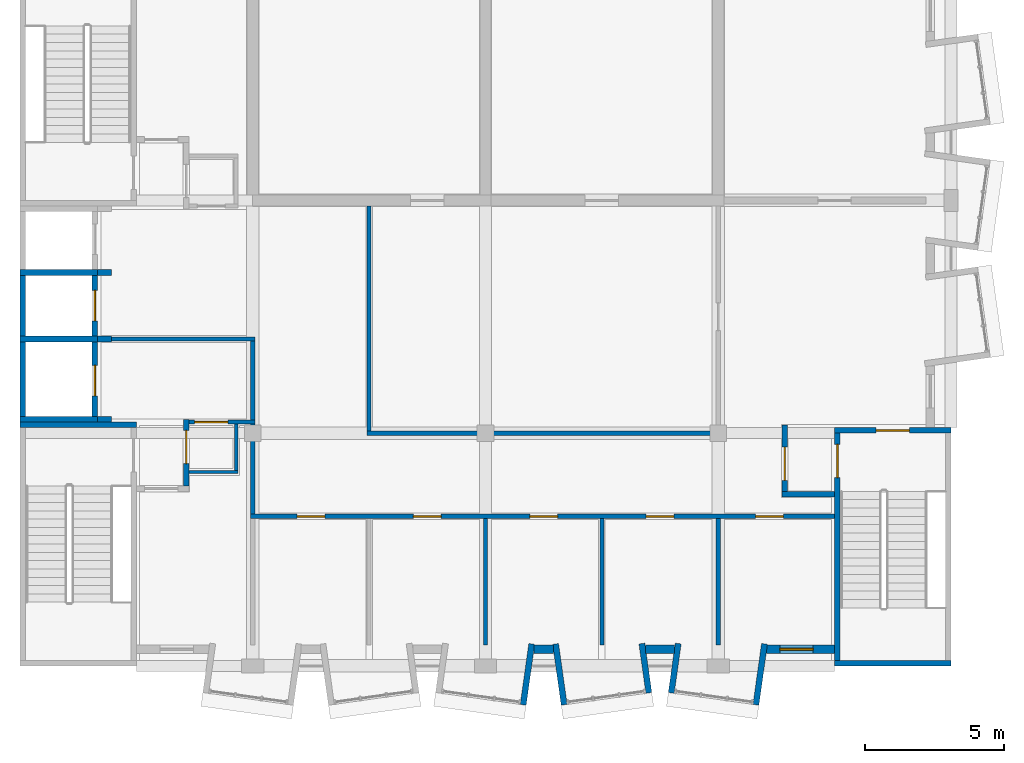
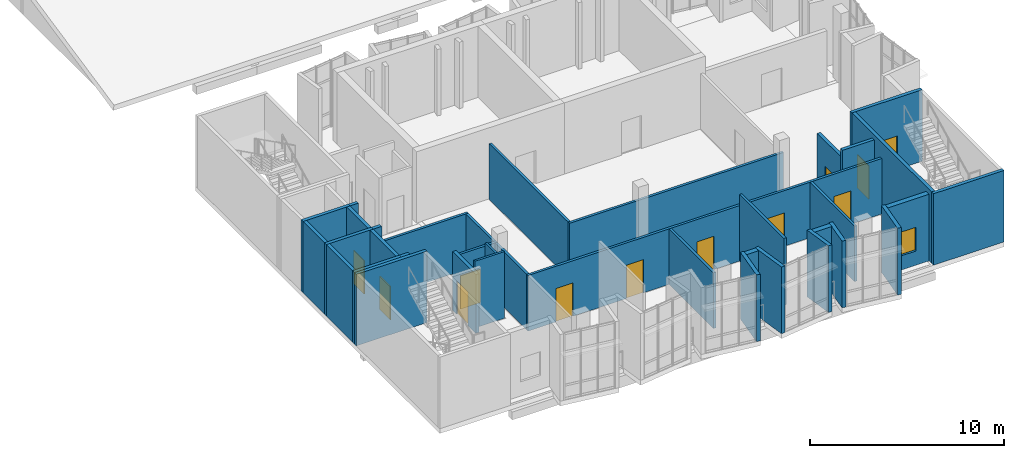
# One storey, part 11 of 19: 37 walls, 12 doors, 1 window, 13 openings.
"""IFC4 building model written with IfcOpenShell, lengths in metres."""

from ifc_helpers import new_model, si_unit, direction, frame, frame_2d, origin, place, context, subcontext, project, spatial, rectangle, extrude, material, layer, layer_set, type_object, element, fill, save


model = new_model("IFC4")

# Units and contexts
model_context = context("Model", 3, precision=1e-05, world=origin(), true_north=direction((0.0, 1.0)))
body_context = subcontext(model_context, "Body", "Model", "MODEL_VIEW")
ifc_project = project(units=[si_unit("LENGTHUNIT", "METRE"), si_unit("AREAUNIT", "SQUARE_METRE"), si_unit("VOLUMEUNIT", "CUBIC_METRE"), si_unit("PLANEANGLEUNIT", "RADIAN"), si_unit("MASSUNIT", "GRAM", prefix="KILO")], contexts=[model_context])

# Site, building, storey
site_placement = place(None, origin())
site = spatial("IfcSite", under=ifc_project, at=site_placement, CompositionType="ELEMENT")
building_placement = place(site_placement, origin())
building = spatial("IfcBuilding", under=site, at=building_placement, Name="Kiln Court Media Centre", CompositionType="ELEMENT")
storey_placement = place(building_placement, frame((0.0, 0.0, 29.10009765625)))
storey = spatial("IfcBuildingStorey", under=building, at=storey_placement, Name="L06", CompositionType="ELEMENT", Elevation=29.10009765625)

# Wall, opening, door
ifc_material_1 = material(Name="Concrete block masonry M7.5", Category="masonry")
ifc_layer_1 = layer(ifc_material_1, 0.14990234375)
ifc_layer_set_1 = layer_set([ifc_layer_1], Name="Block lobby wall 150 EI 120")
wall_type_1 = type_object("IfcWallType", Name="Block lobby wall 150 EI 120", PredefinedType="SOLIDWALL", material=ifc_layer_set_1)
wall_1_placement = place(storey_placement, frame((6.10009765625, 8.800048828125, 0.0), z_axis=(0.0, 0.0, 1.0), x_axis=(1.0, 0.0, 0.0)))
wall_1 = element("IfcWall", 1, at=wall_1_placement, inside=storey, type_object=wall_type_1, Name="L06 block lobby wall", PredefinedType="SOLIDWALL", context=body_context, shape_type="SweptSolid", body=[
    extrude(rectangle(XDim=2.375, YDim=0.14990234375, at=frame_2d((1.1875, 0.0))), origin(), (0.0, 0.0, 1.0), 3.5),
])
opening_1_placement = place(wall_1_placement, frame((0.199951171875, 0.0, 0.0)))
opening_1 = element("IfcOpeningElement", 2, at=opening_1_placement, cuts=wall_1, Name="Opening D6019", PredefinedType="OPENING", context=body_context, shape_type="SweptSolid", body=[
    extrude(rectangle(XDim=1.199951171875, YDim=2.10009765625, at=frame_2d((0.60009765625, 1.050048828125))), frame((0.0, 0.0849609375, 0.0), z_axis=(0.0, -1.0, 0.0), x_axis=(1.0, 0.0, 0.0)), (0.0, 0.0, 1.0), 0.169921875),
])
ifc_material_2 = material(Name="Steel S275", Category="steel")
door_type_1 = type_object("IfcDoorType", Name="Steel lobby door 1200 x 2100 FD120", OperationType="SINGLE_SWING_LEFT", PredefinedType="DOOR", material=ifc_material_2)
door_1_placement = place(opening_1_placement, origin())
door_1 = element("IfcDoor", 3, at=door_1_placement, inside=storey, type_object=door_type_1, Name="Wheelchair Refuge / Fire-fighting Lift Lobby", OperationType="SINGLE_SWING_RIGHT", OverallHeight=2.10009765625, OverallWidth=1.199951171875, PredefinedType="DOOR", context=body_context, shape_type="SweptSolid", body=[
    extrude(rectangle(XDim=1.199951171875, YDim=2.10009765625, at=frame_2d((0.60009765625, 1.050048828125))), frame((0.0, 0.02490234375, 0.0), z_axis=(0.0, -1.0, 0.0), x_axis=(1.0, 0.0, 0.0)), (0.0, 0.0, 1.0), 0.050048828125),
])
fill(opening_1, door_1)

# Walls
wall_2_placement = place(storey_placement, frame((3.300048828125, 11.800048828125, 0.0), z_axis=(0.0, 0.0, 1.0), x_axis=(1.0, 0.0, 0.0)))
element("IfcWall", 4, at=wall_2_placement, inside=storey, type_object=wall_type_1, Name="L06 block lobby wall", PredefinedType="SOLIDWALL", context=body_context, shape_type="SweptSolid", body=[
    extrude(rectangle(XDim=5.175048828125, YDim=0.14990234375, at=frame_2d((2.58740234375, 0.0))), origin(), (0.0, 0.0, 1.0), 3.5),
])
wall_3_placement = place(storey_placement, frame((8.39990234375, 8.875, 0.0), z_axis=(0.0, 0.0, 1.0), x_axis=(0.0, 1.0, 0.0)))
element("IfcWall", 5, at=wall_3_placement, inside=storey, type_object=wall_type_1, Name="L06 block lobby wall", PredefinedType="SOLIDWALL", context=body_context, shape_type="SweptSolid", body=[
    extrude(rectangle(XDim=2.85009765625, YDim=0.14990234375, at=frame_2d((1.425048828125, 0.0))), origin(), (0.0, 0.0, 1.0), 3.5),
])
ifc_material_3 = material(Name="Concrete block masonry M10", Category="masonry")
ifc_layer_2 = layer(ifc_material_3, 0.199951171875)
ifc_layer_set_2 = layer_set([ifc_layer_2], Name="Block vestibule wall 200 EI 240")
wall_type_2 = type_object("IfcWallType", Name="Block vestibule wall 200 EI 240", PredefinedType="SOLIDWALL", material=ifc_layer_set_2)
wall_4_placement = place(storey_placement, frame((27.5, 6.199951171875, 0.0), z_axis=(0.0, 0.0, 1.0), x_axis=(1.0, 0.0, 0.0)))
element("IfcWall", 6, at=wall_4_placement, inside=storey, type_object=wall_type_2, Name="L06 block vestibule wall", PredefinedType="SOLIDWALL", context=body_context, shape_type="SweptSolid", body=[
    extrude(rectangle(XDim=1.89990234375, YDim=0.199951171875, at=frame_2d((0.949951171875, 0.0))), origin(), (0.0, 0.0, 1.0), 4.199951171875),
])

# Wall, opening, door
wall_5_placement = place(storey_placement, frame((6.0, 6.5, 0.0), z_axis=(0.0, 0.0, 1.0), x_axis=(0.0, 1.0, 0.0)))
wall_5 = element("IfcWall", 7, at=wall_5_placement, inside=storey, type_object=wall_type_2, Name="L06 block vestibule wall", PredefinedType="SOLIDWALL", context=body_context, shape_type="SweptSolid", body=[
    extrude(rectangle(XDim=2.39990234375, YDim=0.199951171875, at=frame_2d((1.199951171875, 0.0))), origin(), (0.0, 0.0, 1.0), 3.699951171875),
])
opening_2_placement = place(wall_5_placement, frame((0.800048828125, 0.0, 0.0)))
opening_2 = element("IfcOpeningElement", 8, at=opening_2_placement, cuts=wall_5, Name="Opening D6009", PredefinedType="OPENING", context=body_context, shape_type="SweptSolid", body=[
    extrude(rectangle(XDim=1.199951171875, YDim=2.10009765625, at=frame_2d((0.60009765625, 1.050048828125))), frame((0.0, 0.10986328125, 0.0), z_axis=(0.0, -1.0, 0.0), x_axis=(1.0, 0.0, 0.0)), (0.0, 0.0, 1.0), 0.219970703125),
])
ifc_material_4 = material(Name="Steel S275", Category="steel")
door_type_2 = type_object("IfcDoorType", Name="Steel vestibule door 1200 x 2100 FD180", OperationType="SINGLE_SWING_LEFT", PredefinedType="DOOR", material=ifc_material_4)
door_2_placement = place(opening_2_placement, origin())
door_2 = element("IfcDoor", 9, at=door_2_placement, inside=storey, type_object=door_type_2, Name="Stair 1 Vestibule / Wheelchair Refuge", OperationType="SINGLE_SWING_RIGHT", OverallHeight=2.10009765625, OverallWidth=1.199951171875, PredefinedType="DOOR", context=body_context, shape_type="SweptSolid", body=[
    extrude(rectangle(XDim=1.199951171875, YDim=2.10009765625, at=frame_2d((0.60009765625, 1.050048828125))), frame((0.0, 0.02490234375, 0.0), z_axis=(0.0, -1.0, 0.0), x_axis=(1.0, 0.0, 0.0)), (0.0, 0.0, 1.0), 0.050048828125),
])
fill(opening_2, door_2)

wall_6_placement = place(storey_placement, frame((27.60009765625, 6.300048828125, 0.0), z_axis=(0.0, 0.0, 1.0), x_axis=(0.0, 1.0, 0.0)))
wall_6 = element("IfcWall", 10, at=wall_6_placement, inside=storey, type_object=wall_type_2, Name="L06 block vestibule wall", PredefinedType="SOLIDWALL", context=body_context, shape_type="SweptSolid", body=[
    extrude(rectangle(XDim=2.39990234375, YDim=0.199951171875, at=frame_2d((1.199951171875, 0.0))), origin(), (0.0, 0.0, 1.0), 3.699951171875),
])
opening_3_placement = place(wall_6_placement, frame((0.39990234375, 0.0, 0.0)))
opening_3 = element("IfcOpeningElement", 11, at=opening_3_placement, cuts=wall_6, Name="Opening D6007", PredefinedType="OPENING", context=body_context, shape_type="SweptSolid", body=[
    extrude(rectangle(XDim=1.199951171875, YDim=2.10009765625, at=frame_2d((0.60009765625, 1.050048828125))), frame((0.0, 0.10986328125, 0.0), z_axis=(0.0, -1.0, 0.0), x_axis=(1.0, 0.0, 0.0)), (0.0, 0.0, 1.0), 0.219970703125),
])
door_3_placement = place(opening_3_placement, origin())
door_3 = element("IfcDoor", 12, at=door_3_placement, inside=storey, type_object=door_type_2, Name="Production Gallery / Stair 3 Vestibule", OperationType="SINGLE_SWING_RIGHT", OverallHeight=2.10009765625, OverallWidth=1.199951171875, PredefinedType="DOOR", context=body_context, shape_type="SweptSolid", body=[
    extrude(rectangle(XDim=1.199951171875, YDim=2.10009765625, at=frame_2d((0.60009765625, 1.050048828125))), frame((0.0, 0.02490234375, 0.0), z_axis=(0.0, -1.0, 0.0), x_axis=(1.0, 0.0, 0.0)), (0.0, 0.0, 1.0), 0.050048828125),
])
fill(opening_3, door_3)

# Walls
ifc_material_5 = material(Name="Brick masonry facing leaf with RC backing", Category="masonry")
ifc_layer_3 = layer(ifc_material_5, 0.215087890625)
ifc_layer_set_3 = layer_set([ifc_layer_3], Name="Brick masonry bay cheek wall 215")
wall_type_3 = type_object("IfcWallType", Name="Brick masonry bay cheek wall 215", PredefinedType="SOLIDWALL", material=ifc_layer_set_3)
wall_7_placement = place(storey_placement, frame((18.469482421875, 0.794921875, 0.0), z_axis=(0.0, 0.0, 1.0), x_axis=(-0.139249775508, -0.99025728981, 0.0)))
element("IfcWall", 13, at=wall_7_placement, inside=storey, type_object=wall_type_3, Name="BAY V6A-S-L06-42 cheek R", PredefinedType="SOLIDWALL", context=body_context, shape_type="SweptSolid", body=[
    extrude(rectangle(XDim=2.2197265625, YDim=0.215087890625, at=frame_2d((1.10986328125, 0.0))), origin(), (0.0, 0.0, 1.0), 4.199951171875),
])
wall_8_placement = place(storey_placement, frame((19.33056640625, 0.794921875, 0.0), z_axis=(0.0, 0.0, 1.0), x_axis=(0.139141913905, -0.990272451295, 0.0)))
element("IfcWall", 14, at=wall_8_placement, inside=storey, type_object=wall_type_3, Name="BAY V6A-S-L06-43 cheek L", PredefinedType="SOLIDWALL", context=body_context, shape_type="SweptSolid", body=[
    extrude(rectangle(XDim=2.219482421875, YDim=0.215087890625, at=frame_2d((1.10986328125, 0.0))), origin(), (0.0, 0.0, 1.0), 4.199951171875),
])
for number, where, z_axis, x_axis, name in (
    (15, (22.444091796875, 0.808837890625, 0.0), (0.0, 0.0, 1.0), (0.139161311926, -0.990269725511, 0.0), "BAY V6A-S-L06-43 cheek R"),
    (16, (23.756103515625, 0.808837890625, 0.0), (0.0, 0.0, 1.0), (-0.139161311926, -0.990269725511, 0.0), "BAY V6A-S-L06-44 cheek L"),
):
    element("IfcWall", number, at=place(storey_placement, frame(where, z_axis=z_axis, x_axis=x_axis)), inside=storey, type_object=wall_type_3, Name=name, PredefinedType="SOLIDWALL", context=body_context, shape_type="SweptSolid", body=[
        extrude(rectangle(XDim=1.800048828125, YDim=0.215087890625, at=frame_2d((0.89990234375, 0.0))), origin(), (0.0, 0.0, 1.0), 4.199951171875),
    ])
wall_9_placement = place(storey_placement, frame((26.869384765625, 0.794921875, 0.0), z_axis=(0.0, 0.0, 1.0), x_axis=(-0.139141913905, -0.990272451295, 0.0)))
element("IfcWall", 17, at=wall_9_placement, inside=storey, type_object=wall_type_3, Name="BAY V6A-S-L06-44 cheek R", PredefinedType="SOLIDWALL", context=body_context, shape_type="SweptSolid", body=[
    extrude(rectangle(XDim=2.219482421875, YDim=0.215087890625, at=frame_2d((1.10986328125, 0.0))), origin(), (0.0, 0.0, 1.0), 4.199951171875),
])
ifc_material_6 = material(Name="Brick masonry facing leaf with RC backing", Category="masonry")
ifc_layer_4 = layer(ifc_material_6, 0.300048828125)
ifc_layer_set_4 = layer_set([ifc_layer_4], Name="Brick masonry cavity wall 300")
wall_type_4 = type_object("IfcWallType", Name="Brick masonry cavity wall 300", PredefinedType="SOLIDWALL", material=ifc_layer_set_4)
wall_10_placement = place(storey_placement, frame((19.24951171875, 0.60009765625, 0.0), z_axis=(0.0, 0.0, 1.0), x_axis=(-1.0, 0.0, 0.0)))
element("IfcWall", 18, at=wall_10_placement, inside=storey, type_object=wall_type_4, Name="V6A-S facade L06 3037", PredefinedType="SOLIDWALL", context=body_context, shape_type="SweptSolid", body=[
    extrude(rectangle(XDim=0.698974609375, YDim=0.300048828125, at=frame_2d((0.349609375, 0.0))), origin(), (0.0, 0.0, 1.0), 4.199951171875),
])
wall_11_placement = place(storey_placement, frame((23.6181640625, 0.60009765625, 0.0), z_axis=(0.0, 0.0, 1.0), x_axis=(-1.0, 0.0, 0.0)))
element("IfcWall", 19, at=wall_11_placement, inside=storey, type_object=wall_type_4, Name="V6A-S facade L06 3038", PredefinedType="SOLIDWALL", context=body_context, shape_type="SweptSolid", body=[
    extrude(rectangle(XDim=1.036376953125, YDim=0.300048828125, at=frame_2d((0.51806640625, 0.0))), origin(), (0.0, 0.0, 1.0), 4.199951171875),
])

# Wall, opening, window
wall_12_placement = place(storey_placement, frame((29.39990234375, 0.60009765625, 0.0), z_axis=(0.0, 0.0, 1.0), x_axis=(-1.0, 0.0, 0.0)))
wall_12 = element("IfcWall", 20, at=wall_12_placement, inside=storey, type_object=wall_type_4, Name="V6A-S facade L06 3039", PredefinedType="SOLIDWALL", context=body_context, shape_type="SweptSolid", body=[
    extrude(rectangle(XDim=2.449462890625, YDim=0.300048828125, at=frame_2d((1.224609375, 0.0))), origin(), (0.0, 0.0, 1.0), 4.199951171875),
])
opening_4_placement = place(wall_12_placement, frame((0.77490234375, 0.0, 0.89990234375)))
opening_4 = element("IfcOpeningElement", 21, at=opening_4_placement, cuts=wall_12, Name="Opening WN6005", PredefinedType="OPENING", context=body_context, shape_type="SweptSolid", body=[
    extrude(rectangle(XDim=1.199951171875, YDim=1.5, at=frame_2d((0.60009765625, 0.75))), frame((0.0, 0.159912109375, 0.0), z_axis=(0.0, -1.0, 0.0), x_axis=(1.0, 0.0, 0.0)), (0.0, 0.0, 1.0), 0.320068359375),
])
ifc_material_7 = material(Name="Aluminium 6063-T6", Category="aluminium")
window_type = type_object("IfcWindowType", Name="Aluminium window 1200x1500", PartitioningType="DOUBLE_PANEL_VERTICAL", PredefinedType="WINDOW", material=ifc_material_7)
window_placement = place(opening_4_placement, origin())
window = element("IfcWindow", 22, at=window_placement, inside=storey, type_object=window_type, Name="WB window WN6005", OverallHeight=1.5, OverallWidth=1.199951171875, PartitioningType="SINGLE_PANEL", PredefinedType="WINDOW", context=body_context, shape_type="SweptSolid", body=[
    extrude(rectangle(XDim=1.199951171875, YDim=1.5, at=frame_2d((0.60009765625, 0.75))), frame((0.0, 0.030029296875, 0.0), z_axis=(0.0, -1.0, 0.0), x_axis=(1.0, 0.0, 0.0)), (0.0, 0.0, 1.0), 0.06005859375),
])
fill(opening_4, window)

# Walls
ifc_material_8 = material(Name="Concrete C40/50", Category="concrete")
ifc_layer_5 = layer(ifc_material_8, 0.199951171875)
ifc_layer_set_5 = layer_set([ifc_layer_5], Name="Concrete C40/50 shear wall 200")
wall_type_5 = type_object("IfcWallType", Name="Concrete C40/50 shear wall 200", PredefinedType="SHEAR", material=ifc_layer_set_5)
wall_13_placement = place(storey_placement, frame((0.00048828125, 8.699951171875, 0.0), z_axis=(0.0, 0.0, 1.0), x_axis=(1.0, 0.0, 0.0)))
element("IfcWall", 23, at=wall_13_placement, inside=storey, type_object=wall_type_5, Name="L06-W-1001", PredefinedType="SHEAR", context=body_context, shape_type="SweptSolid", body=[
    extrude(rectangle(XDim=4.199462890625, YDim=0.199951171875, at=frame_2d((2.099609375, 0.0))), origin(), (0.0, 0.0, 1.0), 4.5),
])
wall_14_placement = place(storey_placement, frame((33.60009765625, 0.10009765625, 0.0), z_axis=(0.0, 0.0, 1.0), x_axis=(-1.0, 0.0, 0.0)))
element("IfcWall", 24, at=wall_14_placement, inside=storey, type_object=wall_type_5, Name="L06-W-1008", PredefinedType="SHEAR", context=body_context, shape_type="SweptSolid", body=[
    extrude(rectangle(XDim=4.2001953125, YDim=0.199951171875, at=frame_2d((2.10009765625, 0.0))), origin(), (0.0, 0.0, 1.0), 4.5),
])

# Wall, opening, door
wall_15_placement = place(storey_placement, frame((29.39990234375, 8.5, 0.0), z_axis=(0.0, 0.0, 1.0), x_axis=(1.0, 0.0, 0.0)))
wall_15 = element("IfcWall", 25, at=wall_15_placement, inside=storey, type_object=wall_type_5, Name="L06-W-1009", PredefinedType="SHEAR", context=body_context, shape_type="SweptSolid", body=[
    extrude(rectangle(XDim=4.2001953125, YDim=0.199951171875, at=frame_2d((2.10009765625, 0.0))), origin(), (0.0, 0.0, 1.0), 4.5),
])
opening_5_placement = place(wall_15_placement, frame((1.5, 0.0, 0.0)))
opening_5 = element("IfcOpeningElement", 26, at=opening_5_placement, cuts=wall_15, Name="Opening D6004", PredefinedType="OPENING", context=body_context, shape_type="SweptSolid", body=[
    extrude(rectangle(XDim=1.199951171875, YDim=2.10009765625, at=frame_2d((0.60009765625, 1.050048828125))), frame((0.0, 0.10986328125, 0.0), z_axis=(0.0, -1.0, 0.0), x_axis=(1.0, 0.0, 0.0)), (0.0, 0.0, 1.0), 0.219970703125),
])
ifc_material_9 = material(Name="Steel S275", Category="steel")
door_type_3 = type_object("IfcDoorType", Name="Steel stair door 1200 x 2100 FD180", OperationType="SINGLE_SWING_LEFT", PredefinedType="DOOR", material=ifc_material_9)
door_4_placement = place(opening_5_placement, origin())
door_4 = element("IfcDoor", 27, at=door_4_placement, inside=storey, type_object=door_type_3, Name="Stair 3 / East Lobby", OperationType="SINGLE_SWING_RIGHT", OverallHeight=2.10009765625, OverallWidth=1.199951171875, PredefinedType="DOOR", context=body_context, shape_type="SweptSolid", body=[
    extrude(rectangle(XDim=1.199951171875, YDim=2.10009765625, at=frame_2d((0.60009765625, 1.050048828125))), frame((0.0, 0.02490234375, 0.0), z_axis=(0.0, -1.0, 0.0), x_axis=(1.0, 0.0, 0.0)), (0.0, 0.0, 1.0), 0.050048828125),
])
fill(opening_5, door_4)

wall_16_placement = place(storey_placement, frame((29.5, 0.199951171875, 0.0), z_axis=(0.0, 0.0, 1.0), x_axis=(0.0, 1.0, 0.0)))
wall_16 = element("IfcWall", 28, at=wall_16_placement, inside=storey, type_object=wall_type_5, Name="L06-W-1010", PredefinedType="SHEAR", context=body_context, shape_type="SweptSolid", body=[
    extrude(rectangle(XDim=8.199951171875, YDim=0.199951171875, at=frame_2d((4.10009765625, 0.0))), origin(), (0.0, 0.0, 1.0), 4.5),
])
opening_6_placement = place(wall_16_placement, frame((6.60009765625, 0.0, 0.0)))
opening_6 = element("IfcOpeningElement", 29, at=opening_6_placement, cuts=wall_16, Name="Opening D6003", PredefinedType="OPENING", context=body_context, shape_type="SweptSolid", body=[
    extrude(rectangle(XDim=1.199951171875, YDim=2.10009765625, at=frame_2d((0.60009765625, 1.050048828125))), frame((0.0, 0.10986328125, 0.0), z_axis=(0.0, -1.0, 0.0), x_axis=(1.0, 0.0, 0.0)), (0.0, 0.0, 1.0), 0.219970703125),
])
door_5_placement = place(opening_6_placement, origin())
door_5 = element("IfcDoor", 30, at=door_5_placement, inside=storey, type_object=door_type_3, Name="Stair 3 / Stair 3 Vestibule", OperationType="SINGLE_SWING_RIGHT", OverallHeight=2.10009765625, OverallWidth=1.199951171875, PredefinedType="DOOR", context=body_context, shape_type="SweptSolid", body=[
    extrude(rectangle(XDim=1.199951171875, YDim=2.10009765625, at=frame_2d((0.60009765625, 1.050048828125))), frame((0.0, 0.02490234375, 0.0), z_axis=(0.0, -1.0, 0.0), x_axis=(1.0, 0.0, 0.0)), (0.0, 0.0, 1.0), 0.050048828125),
])
fill(opening_6, door_5)

# Walls
for number, where, z_axis, x_axis, name in (
    (31, (2.800048828125, 8.89990234375, 0.0), (0.0, 0.0, 1.0), (-1.0, 0.0, 0.0), "L06-W-1023"),
    (32, (0.00048828125, 11.800048828125, 0.0), (0.0, 0.0, 1.0), (1.0, 0.0, 0.0), "L06-W-1024"),
):
    element("IfcWall", number, at=place(storey_placement, frame(where, z_axis=z_axis, x_axis=x_axis)), inside=storey, type_object=wall_type_5, Name=name, PredefinedType="SHEAR", context=body_context, shape_type="SweptSolid", body=[
        extrude(rectangle(XDim=2.799560546875, YDim=0.199951171875, at=frame_2d((1.39990234375, 0.0))), origin(), (0.0, 0.0, 1.0), 4.5),
    ])
wall_17_placement = place(storey_placement, frame((0.100341796875, 9.0, 0.0), z_axis=(0.0, 0.0, 1.0), x_axis=(0.0, 1.0, 0.0)))
element("IfcWall", 33, at=wall_17_placement, inside=storey, type_object=wall_type_5, Name="L06-W-1025", PredefinedType="SHEAR", context=body_context, shape_type="SweptSolid", body=[
    extrude(rectangle(XDim=2.699951171875, YDim=0.199951171875, at=frame_2d((1.35009765625, 0.0))), origin(), (0.0, 0.0, 1.0), 4.5),
])

# Wall, opening, door
wall_18_placement = place(storey_placement, frame((2.699951171875, 11.699951171875, 0.0), z_axis=(0.0, 0.0, 1.0), x_axis=(0.0, -1.0, 0.0)))
wall_18 = element("IfcWall", 34, at=wall_18_placement, inside=storey, type_object=wall_type_5, Name="L06-W-1026", PredefinedType="SHEAR", context=body_context, shape_type="SweptSolid", body=[
    extrude(rectangle(XDim=2.699951171875, YDim=0.199951171875, at=frame_2d((1.35009765625, 0.0))), origin(), (0.0, 0.0, 1.0), 4.5),
])
opening_7_placement = place(wall_18_placement, frame((0.85009765625, 0.0, 0.0)))
opening_7 = element("IfcOpeningElement", 35, at=opening_7_placement, cuts=wall_18, Name="Opening LD601", PredefinedType="OPENING", context=body_context, shape_type="SweptSolid", body=[
    extrude(rectangle(XDim=1.10009765625, YDim=2.10009765625, at=frame_2d((0.550048828125, 1.050048828125))), frame((0.0, 0.10986328125, 0.0), z_axis=(0.0, -1.0, 0.0), x_axis=(1.0, 0.0, 0.0)), (0.0, 0.0, 1.0), 0.219970703125),
])
ifc_material_10 = material(Name="Stainless steel", Category="steel")
door_type_4 = type_object("IfcDoorType", Name="Firefighting lift landing door 1100 x 2100 FD120", OperationType="SLIDING_TO_LEFT", PredefinedType="DOOR", material=ifc_material_10)
door_6_placement = place(opening_7_placement, origin())
door_6 = element("IfcDoor", 36, at=door_6_placement, inside=storey, type_object=door_type_4, Name="LF-01 landing door L06", OperationType="SLIDING_TO_LEFT", OverallHeight=2.10009765625, OverallWidth=1.10009765625, PredefinedType="DOOR", context=body_context, shape_type="SweptSolid", body=[
    extrude(rectangle(XDim=1.10009765625, YDim=2.10009765625, at=frame_2d((0.550048828125, 1.050048828125))), frame((0.0, 0.02490234375, 0.0), z_axis=(0.0, -1.0, 0.0), x_axis=(1.0, 0.0, 0.0)), (0.0, 0.0, 1.0), 0.050048828125),
])
fill(opening_7, door_6)

# Walls
wall_19_placement = place(storey_placement, frame((0.00048828125, 14.199951171875, 0.0), z_axis=(0.0, 0.0, 1.0), x_axis=(1.0, 0.0, 0.0)))
element("IfcWall", 37, at=wall_19_placement, inside=storey, type_object=wall_type_5, Name="L06-W-1027", PredefinedType="SHEAR", context=body_context, shape_type="SweptSolid", body=[
    extrude(rectangle(XDim=2.799560546875, YDim=0.199951171875, at=frame_2d((1.39990234375, 0.0))), origin(), (0.0, 0.0, 1.0), 4.5),
])
wall_20_placement = place(storey_placement, frame((0.100341796875, 11.89990234375, 0.0), z_axis=(0.0, 0.0, 1.0), x_axis=(0.0, 1.0, 0.0)))
element("IfcWall", 38, at=wall_20_placement, inside=storey, type_object=wall_type_5, Name="L06-W-1028", PredefinedType="SHEAR", context=body_context, shape_type="SweptSolid", body=[
    extrude(rectangle(XDim=2.2001953125, YDim=0.199951171875, at=frame_2d((1.10009765625, 0.0))), origin(), (0.0, 0.0, 1.0), 4.5),
])

# Wall, opening, door
wall_21_placement = place(storey_placement, frame((2.699951171875, 14.10009765625, 0.0), z_axis=(0.0, 0.0, 1.0), x_axis=(0.0, -1.0, 0.0)))
wall_21 = element("IfcWall", 39, at=wall_21_placement, inside=storey, type_object=wall_type_5, Name="L06-W-1029", PredefinedType="SHEAR", context=body_context, shape_type="SweptSolid", body=[
    extrude(rectangle(XDim=2.2001953125, YDim=0.199951171875, at=frame_2d((1.10009765625, 0.0))), origin(), (0.0, 0.0, 1.0), 4.5),
])
opening_8_placement = place(wall_21_placement, frame((0.550048828125, 0.0, 0.0)))
opening_8 = element("IfcOpeningElement", 40, at=opening_8_placement, cuts=wall_21, Name="Opening LD602", PredefinedType="OPENING", context=body_context, shape_type="SweptSolid", body=[
    extrude(rectangle(XDim=1.10009765625, YDim=2.10009765625, at=frame_2d((0.550048828125, 1.050048828125))), frame((0.0, 0.10986328125, 0.0), z_axis=(0.0, -1.0, 0.0), x_axis=(1.0, 0.0, 0.0)), (0.0, 0.0, 1.0), 0.219970703125),
])
ifc_material_11 = material(Name="Stainless steel", Category="steel")
door_type_5 = type_object("IfcDoorType", Name="Lift landing door 1100 x 2100 FD120", OperationType="SLIDING_TO_LEFT", PredefinedType="DOOR", material=ifc_material_11)
door_7_placement = place(opening_8_placement, origin())
door_7 = element("IfcDoor", 41, at=door_7_placement, inside=storey, type_object=door_type_5, Name="LF-02 landing door L06", OperationType="SLIDING_TO_LEFT", OverallHeight=2.10009765625, OverallWidth=1.10009765625, PredefinedType="DOOR", context=body_context, shape_type="SweptSolid", body=[
    extrude(rectangle(XDim=1.10009765625, YDim=2.10009765625, at=frame_2d((0.550048828125, 1.050048828125))), frame((0.0, 0.02490234375, 0.0), z_axis=(0.0, -1.0, 0.0), x_axis=(1.0, 0.0, 0.0)), (0.0, 0.0, 1.0), 0.050048828125),
])
fill(opening_8, door_7)

# Walls
for number, where, z_axis, x_axis, name in (
    (42, (3.300048828125, 8.89990234375, 0.0), (0.0, 0.0, 1.0), (-1.0, 0.0, 0.0), "L06-W-1060"),
    (43, (2.800048828125, 11.800048828125, 0.0), (0.0, 0.0, 1.0), (1.0, 0.0, 0.0), "L06-W-1061"),
    (44, (2.800048828125, 14.199951171875, 0.0), (0.0, 0.0, 1.0), (1.0, 0.0, 0.0), "L06-W-1062"),
):
    element("IfcWall", number, at=place(storey_placement, frame(where, z_axis=z_axis, x_axis=x_axis)), inside=storey, type_object=wall_type_5, Name=name, PredefinedType="SHEAR", context=body_context, shape_type="SweptSolid", body=[
        extrude(rectangle(XDim=0.5, YDim=0.199951171875, at=frame_2d((0.25, 0.0))), origin(), (0.0, 0.0, 1.0), 4.5),
    ])

# Wall, openings, doors
ifc_material_12 = material(Name="Gypsum plasterboard", Category="gypsum")
ifc_layer_6 = layer(ifc_material_12, 0.14990234375)
ifc_layer_set_6 = layer_set([ifc_layer_6], Name="Gypsum corridor partition 150 EI 60")
wall_type_6 = type_object("IfcWallType", Name="Gypsum corridor partition 150 EI 60", PredefinedType="PARTITIONING", material=ifc_layer_set_6)
wall_22_placement = place(storey_placement, frame((8.324951171875, 5.39990234375, 0.0), z_axis=(0.0, 0.0, 1.0), x_axis=(1.0, 0.0, 0.0)))
wall_22 = element("IfcWall", 45, at=wall_22_placement, inside=storey, type_object=wall_type_6, Name="L06 gypsum corridor partition", PredefinedType="PARTITIONING", context=body_context, shape_type="SweptSolid", body=[
    extrude(rectangle(XDim=21.074951171875, YDim=0.14990234375, at=frame_2d((10.53759765625, 0.0))), origin(), (0.0, 0.0, 1.0), 3.5),
])
opening_9_placement = place(wall_22_placement, frame((1.675048828125, 0.0, 0.0)))
opening_9 = element("IfcOpeningElement", 46, at=opening_9_placement, cuts=wall_22, Name="Opening D6014", PredefinedType="OPENING", context=body_context, shape_type="SweptSolid", body=[
    extrude(rectangle(XDim=1.0, YDim=2.10009765625, at=frame_2d((0.5, 1.050048828125))), frame((0.0, 0.0849609375, 0.0), z_axis=(0.0, -1.0, 0.0), x_axis=(1.0, 0.0, 0.0)), (0.0, 0.0, 1.0), 0.169921875),
])
opening_10_placement = place(wall_22_placement, frame((5.875, 0.0, 0.0)))
opening_10 = element("IfcOpeningElement", 47, at=opening_10_placement, cuts=wall_22, Name="Opening D6015", PredefinedType="OPENING", context=body_context, shape_type="SweptSolid", body=[
    extrude(rectangle(XDim=1.0, YDim=2.10009765625, at=frame_2d((0.5, 1.050048828125))), frame((0.0, 0.0849609375, 0.0), z_axis=(0.0, -1.0, 0.0), x_axis=(1.0, 0.0, 0.0)), (0.0, 0.0, 1.0), 0.169921875),
])
opening_11_placement = place(wall_22_placement, frame((10.074951171875, 0.0, 0.0)))
opening_11 = element("IfcOpeningElement", 48, at=opening_11_placement, cuts=wall_22, Name="Opening D6016", PredefinedType="OPENING", context=body_context, shape_type="SweptSolid", body=[
    extrude(rectangle(XDim=1.0, YDim=2.10009765625, at=frame_2d((0.5, 1.050048828125))), frame((0.0, 0.0849609375, 0.0), z_axis=(0.0, -1.0, 0.0), x_axis=(1.0, 0.0, 0.0)), (0.0, 0.0, 1.0), 0.169921875),
])
opening_12_placement = place(wall_22_placement, frame((14.27490234375, 0.0, 0.0)))
opening_12 = element("IfcOpeningElement", 49, at=opening_12_placement, cuts=wall_22, Name="Opening D6017", PredefinedType="OPENING", context=body_context, shape_type="SweptSolid", body=[
    extrude(rectangle(XDim=1.0, YDim=2.10009765625, at=frame_2d((0.5, 1.050048828125))), frame((0.0, 0.0849609375, 0.0), z_axis=(0.0, -1.0, 0.0), x_axis=(1.0, 0.0, 0.0)), (0.0, 0.0, 1.0), 0.169921875),
])
opening_13_placement = place(wall_22_placement, frame((18.22509765625, 0.0, 0.0)))
opening_13 = element("IfcOpeningElement", 50, at=opening_13_placement, cuts=wall_22, Name="Opening D6018", PredefinedType="OPENING", context=body_context, shape_type="SweptSolid", body=[
    extrude(rectangle(XDim=1.0, YDim=2.10009765625, at=frame_2d((0.5, 1.050048828125))), frame((0.0, 0.0849609375, 0.0), z_axis=(0.0, -1.0, 0.0), x_axis=(1.0, 0.0, 0.0)), (0.0, 0.0, 1.0), 0.169921875),
])
ifc_material_13 = material(Name="Steel S275", Category="steel")
door_type_6 = type_object("IfcDoorType", Name="Steel corridor door 1000 x 2100 FD30S", OperationType="SINGLE_SWING_LEFT", PredefinedType="DOOR", material=ifc_material_13)
door_8_placement = place(opening_9_placement, origin())
door_8 = element("IfcDoor", 51, at=door_8_placement, inside=storey, type_object=door_type_6, Name="Editing Suite 5 / Production Gallery", OperationType="SINGLE_SWING_RIGHT", OverallHeight=2.10009765625, OverallWidth=1.0, PredefinedType="DOOR", context=body_context, shape_type="SweptSolid", body=[
    extrude(rectangle(XDim=1.0, YDim=2.10009765625, at=frame_2d((0.5, 1.050048828125))), frame((0.0, 0.02490234375, 0.0), z_axis=(0.0, -1.0, 0.0), x_axis=(1.0, 0.0, 0.0)), (0.0, 0.0, 1.0), 0.050048828125),
])
fill(opening_9, door_8)
door_9_placement = place(opening_10_placement, origin())
door_9 = element("IfcDoor", 52, at=door_9_placement, inside=storey, type_object=door_type_6, Name="Editing Suite 6 / Production Gallery", OperationType="SINGLE_SWING_LEFT", OverallHeight=2.10009765625, OverallWidth=1.0, PredefinedType="DOOR", context=body_context, shape_type="SweptSolid", body=[
    extrude(rectangle(XDim=1.0, YDim=2.10009765625, at=frame_2d((0.5, 1.050048828125))), frame((0.0, 0.02490234375, 0.0), z_axis=(0.0, -1.0, 0.0), x_axis=(1.0, 0.0, 0.0)), (0.0, 0.0, 1.0), 0.050048828125),
])
fill(opening_10, door_9)
door_10_placement = place(opening_11_placement, origin())
door_10 = element("IfcDoor", 53, at=door_10_placement, inside=storey, type_object=door_type_6, Name="Editing Suite 7 / Production Gallery", OperationType="SINGLE_SWING_LEFT", OverallHeight=2.10009765625, OverallWidth=1.0, PredefinedType="DOOR", context=body_context, shape_type="SweptSolid", body=[
    extrude(rectangle(XDim=1.0, YDim=2.10009765625, at=frame_2d((0.5, 1.050048828125))), frame((0.0, 0.02490234375, 0.0), z_axis=(0.0, -1.0, 0.0), x_axis=(1.0, 0.0, 0.0)), (0.0, 0.0, 1.0), 0.050048828125),
])
fill(opening_11, door_10)
door_11_placement = place(opening_12_placement, origin())
door_11 = element("IfcDoor", 54, at=door_11_placement, inside=storey, type_object=door_type_6, Name="Editing Suite 8 / Production Gallery", OperationType="SINGLE_SWING_RIGHT", OverallHeight=2.10009765625, OverallWidth=1.0, PredefinedType="DOOR", context=body_context, shape_type="SweptSolid", body=[
    extrude(rectangle(XDim=1.0, YDim=2.10009765625, at=frame_2d((0.5, 1.050048828125))), frame((0.0, 0.02490234375, 0.0), z_axis=(0.0, -1.0, 0.0), x_axis=(1.0, 0.0, 0.0)), (0.0, 0.0, 1.0), 0.050048828125),
])
fill(opening_12, door_11)
door_12_placement = place(opening_13_placement, origin())
door_12 = element("IfcDoor", 55, at=door_12_placement, inside=storey, type_object=door_type_6, Name="Editing Suite 9 / Production Gallery", OperationType="SINGLE_SWING_LEFT", OverallHeight=2.10009765625, OverallWidth=1.0, PredefinedType="DOOR", context=body_context, shape_type="SweptSolid", body=[
    extrude(rectangle(XDim=1.0, YDim=2.10009765625, at=frame_2d((0.5, 1.050048828125))), frame((0.0, 0.02490234375, 0.0), z_axis=(0.0, -1.0, 0.0), x_axis=(1.0, 0.0, 0.0)), (0.0, 0.0, 1.0), 0.050048828125),
])
fill(opening_13, door_12)

# Walls
wall_23_placement = place(storey_placement, frame((12.52490234375, 8.39990234375, 0.0), z_axis=(0.0, 0.0, 1.0), x_axis=(1.0, 0.0, 0.0)))
element("IfcWall", 56, at=wall_23_placement, inside=storey, type_object=wall_type_6, Name="L06 gypsum corridor partition", PredefinedType="PARTITIONING", context=body_context, shape_type="SweptSolid", body=[
    extrude(rectangle(XDim=12.75, YDim=0.14990234375, at=frame_2d((6.375, 0.0))), origin(), (0.0, 0.0, 1.0), 3.5),
])
wall_24_placement = place(storey_placement, frame((8.39990234375, 5.47509765625, 0.0), z_axis=(0.0, 0.0, 1.0), x_axis=(0.0, 1.0, 0.0)))
element("IfcWall", 57, at=wall_24_placement, inside=storey, type_object=wall_type_6, Name="L06 gypsum corridor partition", PredefinedType="PARTITIONING", context=body_context, shape_type="SweptSolid", body=[
    extrude(rectangle(XDim=3.25, YDim=0.14990234375, at=frame_2d((1.625, 0.0))), origin(), (0.0, 0.0, 1.0), 3.5),
])
wall_25_placement = place(storey_placement, frame((12.60009765625, 8.47509765625, 0.0), z_axis=(0.0, 0.0, 1.0), x_axis=(0.0, 1.0, 0.0)))
element("IfcWall", 58, at=wall_25_placement, inside=storey, type_object=wall_type_6, Name="L06 gypsum corridor partition", PredefinedType="PARTITIONING", context=body_context, shape_type="SweptSolid", body=[
    extrude(rectangle(XDim=8.125, YDim=0.14990234375, at=frame_2d((4.0625, 0.0))), origin(), (0.0, 0.0, 1.0), 3.5),
])
wall_26_placement = place(storey_placement, frame((16.800048828125, 0.75, 0.0), z_axis=(0.0, 0.0, 1.0), x_axis=(0.0, 1.0, 0.0)))
element("IfcWall", 59, at=wall_26_placement, inside=storey, type_object=wall_type_6, Name="L06 gypsum corridor partition", PredefinedType="PARTITIONING", context=body_context, shape_type="SweptSolid", body=[
    extrude(rectangle(XDim=4.574951171875, YDim=0.14990234375, at=frame_2d((2.28759765625, 0.0))), origin(), (0.0, 0.0, 1.0), 3.5),
])
wall_27_placement = place(storey_placement, frame((21.0, 0.75, 0.0), z_axis=(0.0, 0.0, 1.0), x_axis=(0.0, 1.0, 0.0)))
element("IfcWall", 60, at=wall_27_placement, inside=storey, type_object=wall_type_6, Name="L06 gypsum corridor partition", PredefinedType="PARTITIONING", context=body_context, shape_type="SweptSolid", body=[
    extrude(rectangle(XDim=4.574951171875, YDim=0.14990234375, at=frame_2d((2.28759765625, 0.0))), origin(), (0.0, 0.0, 1.0), 4.199951171875),
])
wall_28_placement = place(storey_placement, frame((25.199951171875, 0.75, 0.0), z_axis=(0.0, 0.0, 1.0), x_axis=(0.0, 1.0, 0.0)))
element("IfcWall", 61, at=wall_28_placement, inside=storey, type_object=wall_type_6, Name="L06 gypsum corridor partition", PredefinedType="PARTITIONING", context=body_context, shape_type="SweptSolid", body=[
    extrude(rectangle(XDim=4.574951171875, YDim=0.14990234375, at=frame_2d((2.28759765625, 0.0))), origin(), (0.0, 0.0, 1.0), 3.5),
])
ifc_material_14 = material(Name="Gypsum plasterboard", Category="gypsum")
ifc_layer_7 = layer(ifc_material_14, 0.125)
ifc_layer_set_7 = layer_set([ifc_layer_7], Name="Gypsum wet-area partition 125")
wall_type_7 = type_object("IfcWallType", Name="Gypsum wet-area partition 125", PredefinedType="PARTITIONING", material=ifc_layer_set_7)
wall_29_placement = place(storey_placement, frame((6.10009765625, 7.0, 0.0), z_axis=(0.0, 0.0, 1.0), x_axis=(1.0, 0.0, 0.0)))
element("IfcWall", 62, at=wall_29_placement, inside=storey, type_object=wall_type_7, Name="L06 gypsum wet-area partition", PredefinedType="PARTITIONING", context=body_context, shape_type="SweptSolid", body=[
    extrude(rectangle(XDim=1.762451171875, YDim=0.125, at=frame_2d((0.88134765625, 0.0))), origin(), (0.0, 0.0, 1.0), 4.199951171875),
])
wall_30_placement = place(storey_placement, frame((7.800048828125, 7.0625, 0.0), z_axis=(0.0, 0.0, 1.0), x_axis=(0.0, 1.0, 0.0)))
element("IfcWall", 63, at=wall_30_placement, inside=storey, type_object=wall_type_7, Name="L06 gypsum wet-area partition", PredefinedType="PARTITIONING", context=body_context, shape_type="SweptSolid", body=[
    extrude(rectangle(XDim=1.66259765625, YDim=0.125, at=frame_2d((0.831298828125, 0.0))), origin(), (0.0, 0.0, 1.0), 3.699951171875),
])

save(model, "model.ifc")
